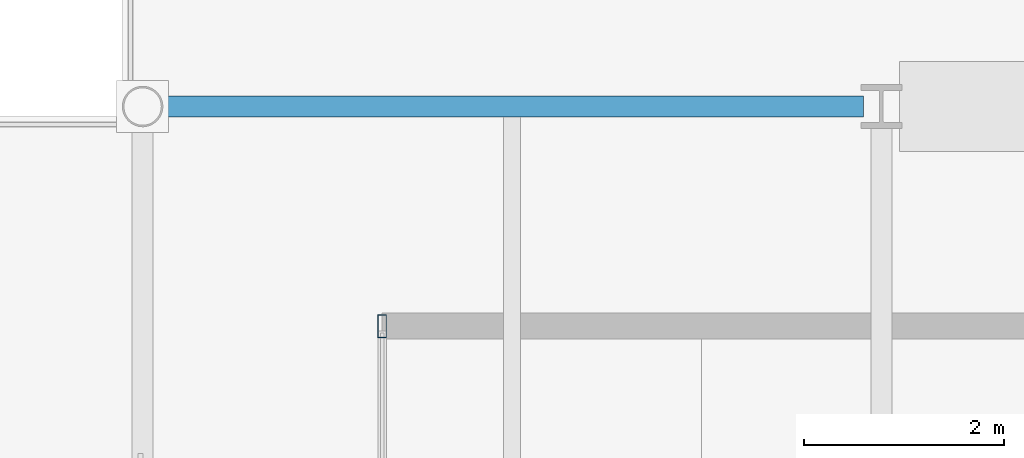
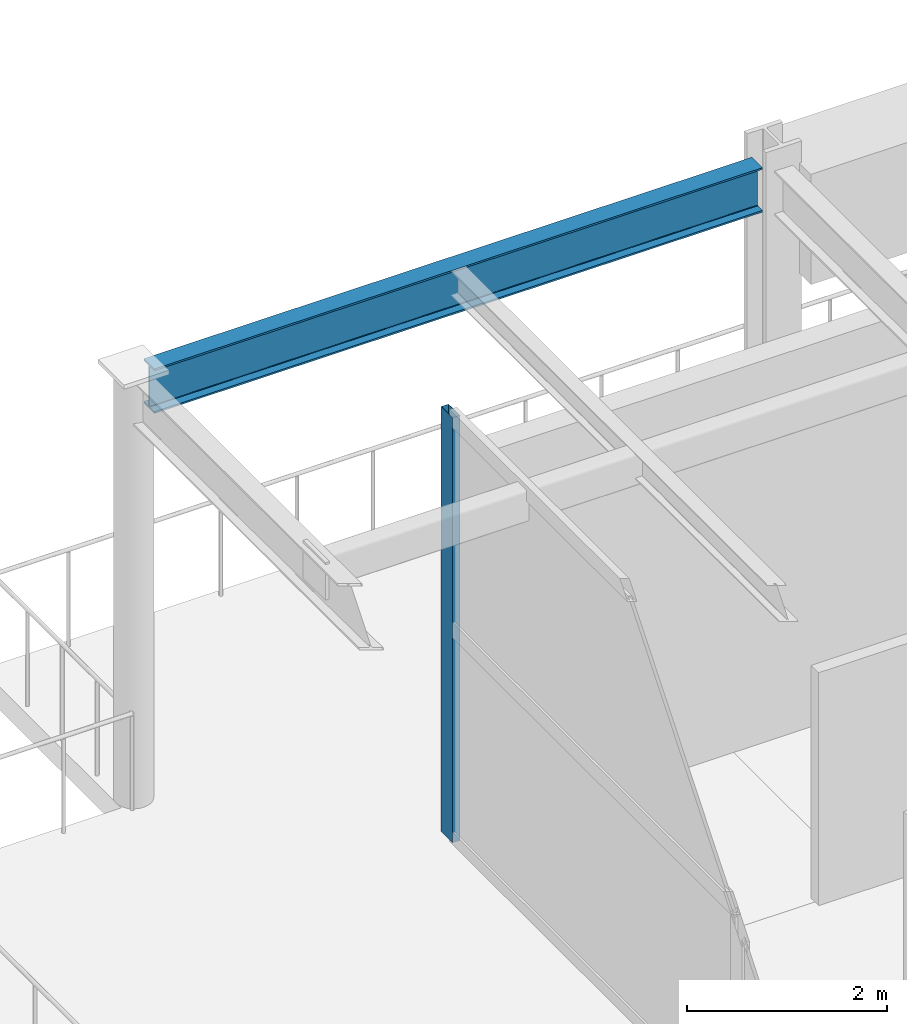
# One storey, part 9 of 16: 1 beam, 1 member, 1 element without a shape of its own.
"""IFC4 building model written with IfcOpenShell, lengths in metres."""

from ifc_helpers import new_model, si_unit, direction, frame, origin, origin_2d, place, context, subcontext, project, spatial, hollow_rectangle, i_section, extrude, material, material_profile, profile_set, type_object, element, aggregate, save


model = new_model("IFC4")

# Units and contexts
model_context = context("Model", 3, precision=1e-05, world=origin(), true_north=direction((0.0, 1.0)))
body_context = subcontext(model_context, "Body", "Model", "MODEL_VIEW")
ifc_project = project(units=[si_unit("LENGTHUNIT", "METRE"), si_unit("AREAUNIT", "SQUARE_METRE"), si_unit("VOLUMEUNIT", "CUBIC_METRE"), si_unit("PLANEANGLEUNIT", "RADIAN"), si_unit("MASSUNIT", "GRAM", prefix="KILO")], contexts=[model_context])

# Site, building, storey
site_placement = place(None, origin())
site = spatial("IfcSite", under=ifc_project, at=site_placement, CompositionType="ELEMENT")
building_placement = place(site_placement, origin())
building = spatial("IfcBuilding", under=site, at=building_placement, Name="Kovane Verandah Tower", CompositionType="ELEMENT")
storey_placement = place(building_placement, frame((0.0, 0.0, 354.300048828125)))
storey = spatial("IfcBuildingStorey", under=building, at=storey_placement, Name="L82", CompositionType="ELEMENT", Elevation=354.300048828125)

# Beam
ifc_material_1 = material(Name="Steel S355", Category="steel")
ifc_material_profile_1 = material_profile(ifc_material_1, i_section(OverallWidth=0.2119140625, OverallDepth=0.54443359375, WebThickness=0.0126953125, FlangeThickness=0.021240234375, FilletRadius=0.0126953125, at=origin_2d()), Name="UB533x210x122")
ifc_profile_set_1 = profile_set([ifc_material_profile_1], Name="Steel S355")
beam_type = type_object("IfcBeamType", Name="BM-UB533x122", PredefinedType="BEAM", material=ifc_profile_set_1)
beam_placement = place(storey_placement, frame((21.780029296875, 44.199951171875, 4.9677734375), z_axis=(1.0, 0.0, 0.0), x_axis=(0.0, 1.0, 0.0)))
element("IfcBeam", 1, at=beam_placement, inside=storey, type_object=beam_type, Name="L82 Primary Tower Girder G-RN1", PredefinedType="BEAM", context=body_context, shape_type="SweptSolid", body=[
    extrude(i_section(OverallWidth=0.2119140625, OverallDepth=0.54443359375, WebThickness=0.0126953125, FlangeThickness=0.021240234375, FilletRadius=0.0126953125, at=origin_2d()), origin(), (0.0, 0.0, 1.0), 7.0400390625),
])

# Curtain wall, member
ifc_material_2 = material(Name="Champagne Anodised Aluminium Frame with Low-E Clear Laminated Glass", Category="aluminium")
curtain_wall_type = type_object("IfcCurtainWallType", Name="CW-SYS-06-CROWN", PredefinedType="NOTDEFINED", material=ifc_material_2)
curtain_wall_placement = place(storey_placement, origin())
curtain_wall = element("IfcCurtainWall", 2, at=curtain_wall_placement, inside=storey, type_object=curtain_wall_type, Name="L82 Crown Enclosure Curtain Wall W", PredefinedType="NOTDEFINED")
ifc_material_3 = material(Name="Champagne Anodised Aluminium 6063-T6", Category="aluminium")
ifc_material_profile_2 = material_profile(ifc_material_3, hollow_rectangle(XDim=0.0849609375, YDim=0.22998046875, WallThickness=0.00390625, at=origin_2d()), Name="AL85x230x4")
ifc_profile_set_2 = profile_set([ifc_material_profile_2], Name="Champagne Anodised Aluminium 6063-T6")
member_type = type_object("IfcMemberType", Name="CW-MUL-85x230", PredefinedType="MULLION", material=ifc_profile_set_2)
member_placement = place(storey_placement, frame((24.0, 42.0, 0.02001953125), z_axis=(0.0, 0.0, 1.0), x_axis=(-1.0, 0.0, 0.0)))
member = element("IfcMember", 3, at=member_placement, type_object=member_type, Name="L82 Crown Enclosure Curtain Wall W Mullion 1", PredefinedType="MULLION", context=body_context, shape_type="SweptSolid", body=[
    extrude(hollow_rectangle(XDim=0.0849609375, YDim=0.22998046875, WallThickness=0.00390625, at=origin_2d()), origin(), (0.0, 0.0, 1.0), 5.199951171875),
])
aggregate(curtain_wall, [member])

save(model, "model.ifc")
